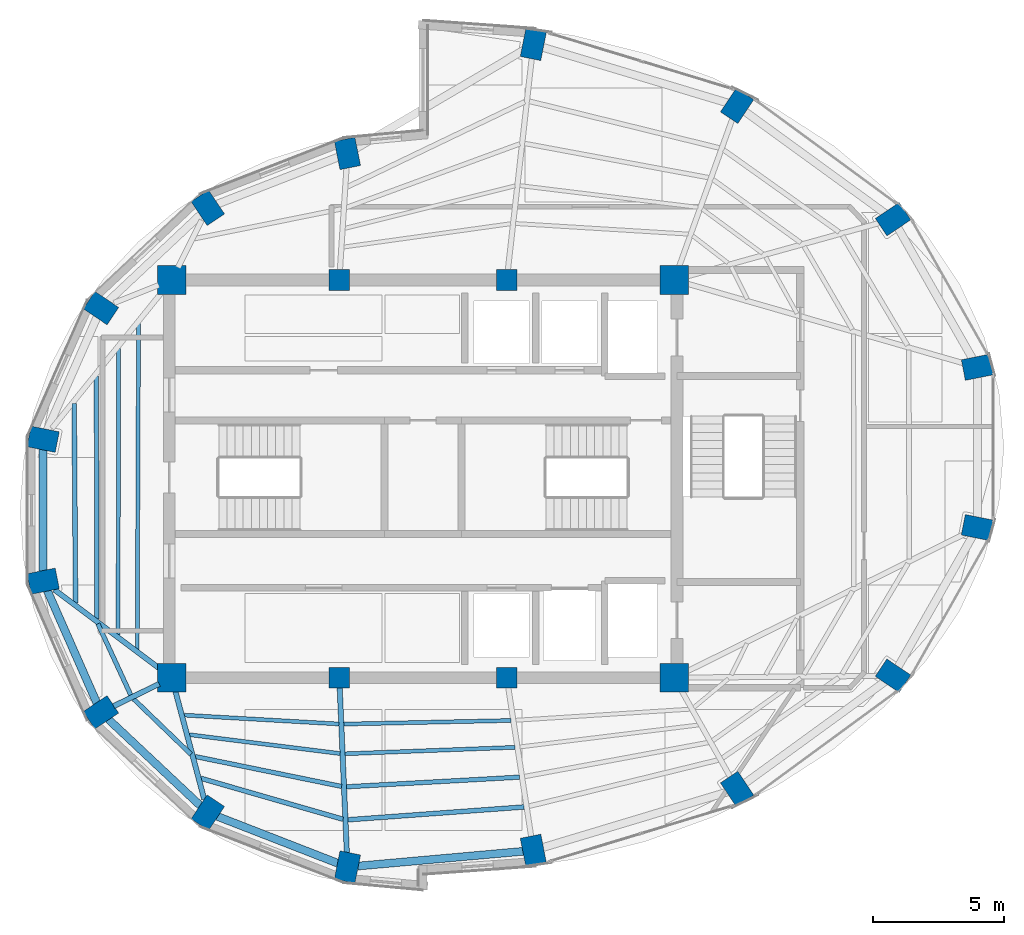
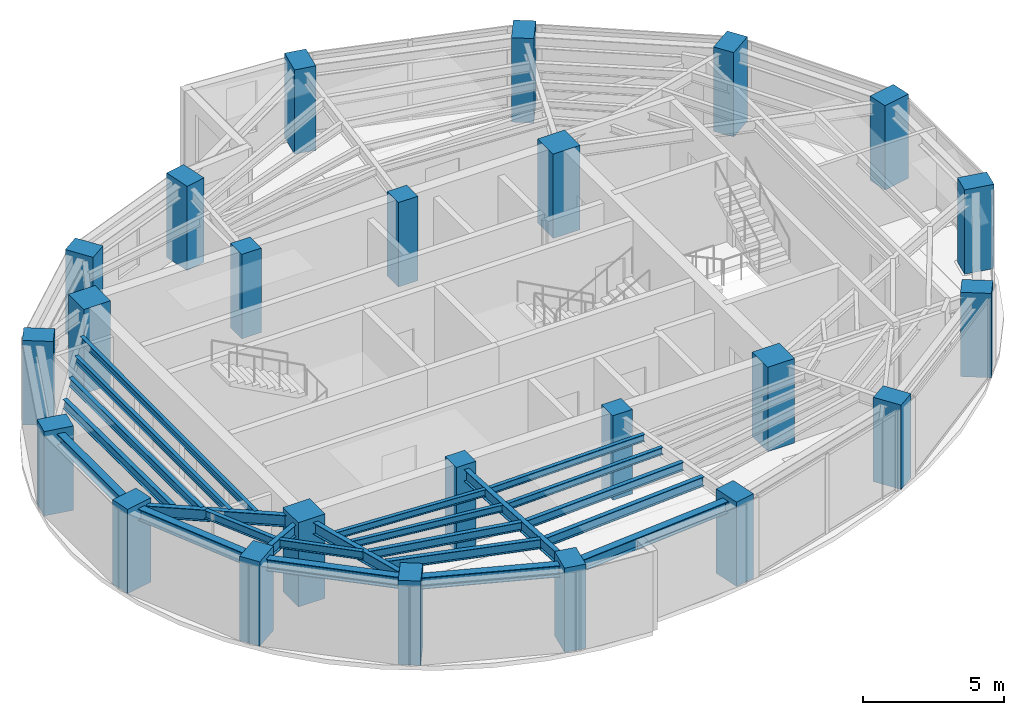
# One storey, part 1 of 12: 24 columns, 23 beams.
"""IFC4 building model written with IfcOpenShell, lengths in metres."""

from ifc_helpers import new_model, si_unit, direction, frame, origin, origin_2d, place, context, subcontext, project, spatial, rectangle, i_section, extrude, material, material_profile, profile_set, type_object, element, save


model = new_model("IFC4")

# Units and contexts
model_context = context("Model", 3, precision=1e-05, world=origin(), true_north=direction((0.0, 1.0)))
body_context = subcontext(model_context, "Body", "Model", "MODEL_VIEW")
ifc_project = project(units=[si_unit("LENGTHUNIT", "METRE"), si_unit("AREAUNIT", "SQUARE_METRE"), si_unit("VOLUMEUNIT", "CUBIC_METRE"), si_unit("PLANEANGLEUNIT", "RADIAN"), si_unit("MASSUNIT", "GRAM", prefix="KILO")], contexts=[model_context])

# Site, building, storey
site_placement = place(None, origin())
site = spatial("IfcSite", under=ifc_project, at=site_placement, CompositionType="ELEMENT")
building_placement = place(site_placement, origin())
building = spatial("IfcBuilding", under=site, at=building_placement, Name="Lazwardi Medical Tower", CompositionType="ELEMENT")
storey_placement = place(building_placement, frame((0.0, 0.0, 291.50390625)))
storey = spatial("IfcBuildingStorey", under=building, at=storey_placement, Name="L76", CompositionType="ELEMENT", Elevation=291.50390625)

# Columns
ifc_material_1 = material(Name="Concrete C80/95", Category="concrete")
ifc_material_profile_1 = material_profile(ifc_material_1, rectangle(XDim=1.10009765625, YDim=1.10009765625, at=origin_2d()), Name="RC 1100x1100")
ifc_profile_set_1 = profile_set([ifc_material_profile_1], Name="Concrete C80/95")
column_type_1 = type_object("IfcColumnType", Name="COL-CC-L", PredefinedType="COLUMN", material=ifc_profile_set_1)
for number, where, z_axis, x_axis, name in (
    (1, (26.39990234375, 20.39990234375, 0.0), (0.0, 0.0, 1.0), (1.0, 0.0, 0.0), "Core column CC-01 CC1 L76"),
    (2, (45.60009765625, 20.39990234375, 0.0), (0.0, 0.0, 1.0), (1.0, 0.0, 0.0), "Core column CC-01 CC4 L76"),
    (3, (45.60009765625, 35.60009765625, 0.0), (0.0, 0.0, 1.0), (1.0, 0.0, 0.0), "Core column CC-01 CC5 L76"),
    (4, (26.39990234375, 35.60009765625, 0.0), (0.0, 0.0, 1.0), (1.0, 0.0, 0.0), "Core column CC-01 CC8 L76"),
):
    element("IfcColumn", number, at=place(storey_placement, frame(where, z_axis=z_axis, x_axis=x_axis)), inside=storey, type_object=column_type_1, Name=name, PredefinedType="COLUMN", context=body_context, shape_type="SweptSolid", body=[
        extrude(rectangle(XDim=1.10009765625, YDim=1.10009765625, at=origin_2d()), origin(), (0.0, 0.0, 1.0), 3.648193359375),
    ])
ifc_material_2 = material(Name="Concrete C60/75", Category="concrete")
ifc_material_profile_2 = material_profile(ifc_material_2, rectangle(XDim=0.800048828125, YDim=0.800048828125, at=origin_2d()), Name="RC 800x800")
ifc_profile_set_2 = profile_set([ifc_material_profile_2], Name="Concrete C60/75")
column_type_2 = type_object("IfcColumnType", Name="COL-CC-U", PredefinedType="COLUMN", material=ifc_profile_set_2)
for number, where, z_axis, x_axis, name in (
    (5, (32.800048828125, 20.39990234375, 0.0), (0.0, 0.0, 1.0), (1.0, 0.0, 0.0), "Core column CC-03 CC2 L76"),
    (6, (39.199951171875, 20.39990234375, 0.0), (0.0, 0.0, 1.0), (1.0, 0.0, 0.0), "Core column CC-03 CC3 L76"),
    (7, (39.199951171875, 35.60009765625, 0.0), (0.0, 0.0, 1.0), (1.0, 0.0, 0.0), "Core column CC-03 CC6 L76"),
    (8, (32.800048828125, 35.60009765625, 0.0), (0.0, 0.0, 1.0), (1.0, 0.0, 0.0), "Core column CC-03 CC7 L76"),
):
    element("IfcColumn", number, at=place(storey_placement, frame(where, z_axis=z_axis, x_axis=x_axis)), inside=storey, type_object=column_type_2, Name=name, PredefinedType="COLUMN", context=body_context, shape_type="SweptSolid", body=[
        extrude(rectangle(XDim=0.800048828125, YDim=0.800048828125, at=origin_2d()), origin(), (0.0, 0.0, 1.0), 3.648193359375),
    ])
ifc_material_profile_3 = material_profile(ifc_material_2, rectangle(XDim=1.10009765625, YDim=0.800048828125, at=origin_2d()), Name="CFT-RECT 1100x800")
ifc_profile_set_3 = profile_set([ifc_material_profile_3], Name="Concrete C60/75")
column_type_3 = type_object("IfcColumnType", Name="COL-MC-Z4", PredefinedType="COLUMN", material=ifc_profile_set_3)
for number, where, z_axis, x_axis, name in (
    (9, (40.214111328125, 13.8017578125, 0.0), (0.0, 0.0, 1.0), (0.195090322016, -0.980785280403, 0.0), "Mega column MC-06 M01 L76"),
    (10, (48.000244140625, 16.14599609375, 0.0), (0.0, 0.0, 1.0), (0.55557023302, -0.831469612303, 0.0), "Mega column MC-06 M02 L76"),
    (11, (53.959716796875, 20.4775390625, 0.0), (0.0, 0.0, 1.0), (0.831469612303, -0.55557023302, 0.0), "Mega column MC-06 M03 L76"),
    (12, (57.18505859375, 26.13720703125, 0.0), (0.0, 0.0, 1.0), (0.980785280403, -0.195090322016, 0.0), "Mega column MC-06 M04 L76"),
    (13, (57.18505859375, 32.262939453125, 0.0), (0.0, 0.0, 1.0), (0.980785280403, 0.195090322016, 0.0), "Mega column MC-06 M05 L76"),
    (14, (53.959716796875, 37.922607421875, 0.0), (0.0, 0.0, 1.0), (0.831469612303, 0.55557023302, 0.0), "Mega column MC-06 M06 L76"),
    (15, (48.000244140625, 42.254150390625, 0.0), (0.0, 0.0, 1.0), (0.55557023302, 0.831469612303, 0.0), "Mega column MC-06 M07 L76"),
    (16, (40.214111328125, 44.598388671875, 0.0), (0.0, 0.0, 1.0), (0.195090322016, 0.980785280403, 0.0), "Mega column MC-06 M08 L76"),
    (17, (33.11279296875, 40.432861328125, 0.0), (0.0, 0.0, 1.0), (-0.195090322016, 0.980785280403, 0.0), "Mega column MC-06 M09 L76"),
    (18, (27.777587890625, 38.357421875, 0.0), (0.0, 0.0, 1.0), (-0.55557023302, 0.831469612303, 0.0), "Mega column MC-06 M10 L76"),
    (19, (23.694091796875, 34.5224609375, 0.0), (0.0, 0.0, 1.0), (-0.831469612303, 0.55557023302, 0.0), "Mega column MC-06 M11 L76"),
    (20, (21.484375, 29.51171875, 0.0), (0.0, 0.0, 1.0), (-0.980785280403, 0.195090322016, 0.0), "Mega column MC-06 M12 L76"),
    (21, (21.484375, 24.088134765625, 0.0), (0.0, 0.0, 1.0), (-0.980785280403, -0.195090322016, 0.0), "Mega column MC-06 M13 L76"),
    (22, (23.694091796875, 19.07763671875, 0.0), (0.0, 0.0, 1.0), (-0.831469612303, -0.55557023302, 0.0), "Mega column MC-06 M14 L76"),
    (23, (27.777587890625, 15.24267578125, 0.0), (0.0, 0.0, 1.0), (-0.55557023302, -0.831469612303, 0.0), "Mega column MC-06 M15 L76"),
    (24, (33.11279296875, 13.1669921875, 0.0), (0.0, 0.0, 1.0), (-0.195090322016, -0.980785280403, 0.0), "Mega column MC-06 M16 L76"),
):
    element("IfcColumn", number, at=place(storey_placement, frame(where, z_axis=z_axis, x_axis=x_axis)), inside=storey, type_object=column_type_3, Name=name, PredefinedType="COLUMN", context=body_context, shape_type="SweptSolid", body=[
        extrude(rectangle(XDim=1.10009765625, YDim=0.800048828125, at=origin_2d()), origin(), (0.0, 0.0, 1.0), 3.648193359375),
    ])

# Beams
ifc_material_3 = material(Name="Steel S355", Category="steel")
ifc_material_profile_4 = material_profile(ifc_material_3, i_section(OverallWidth=0.300048828125, OverallDepth=0.5, WebThickness=0.014404296875, FlangeThickness=0.028076171875, at=origin_2d()), Name="HEB 500")
ifc_profile_set_4 = profile_set([ifc_material_profile_4], Name="Steel S355")
beam_type_1 = type_object("IfcBeamType", Name="BM-RB-Z4", PredefinedType="BEAM", material=ifc_profile_set_4)
beam_1_placement = place(storey_placement, frame((21.484375, 29.121826171875, 3.197998046875), z_axis=(0.0, -1.0, 0.0), x_axis=(1.0, 0.0, 0.0)))
element("IfcBeam", 25, at=beam_1_placement, inside=storey, type_object=beam_type_1, Name="Ring beam RB-05 B12 L76", PredefinedType="BEAM", context=body_context, shape_type="SweptSolid", body=[
    extrude(i_section(OverallWidth=0.300048828125, OverallDepth=0.5, WebThickness=0.014404296875, FlangeThickness=0.028076171875, at=origin_2d()), origin(), (0.0, 0.0, 1.0), 4.6435546875),
])
beam_2_placement = place(storey_placement, frame((21.641845703125, 23.7314453125, 3.197998046875), z_axis=(0.403503258239, -0.914978207713, 0.0), x_axis=(0.914978207713, 0.403503258239, 0.0)))
element("IfcBeam", 26, at=beam_2_placement, inside=storey, type_object=beam_type_1, Name="Ring beam RB-05 B13 L76", PredefinedType="BEAM", context=body_context, shape_type="SweptSolid", body=[
    extrude(i_section(OverallWidth=0.300048828125, OverallDepth=0.5, WebThickness=0.014404296875, FlangeThickness=0.028076171875, at=origin_2d()), origin(), (0.0, 0.0, 1.0), 4.696533203125),
])
beam_3_placement = place(storey_placement, frame((23.978515625, 18.810546875, 3.197998046875), z_axis=(0.728935349177, -0.684582541934, 0.0), x_axis=(0.684582541934, 0.728935349177, 0.0)))
element("IfcBeam", 27, at=beam_3_placement, inside=storey, type_object=beam_type_1, Name="Ring beam RB-05 B14 L76", PredefinedType="BEAM", context=body_context, shape_type="SweptSolid", body=[
    extrude(i_section(OverallWidth=0.300048828125, OverallDepth=0.5, WebThickness=0.014404296875, FlangeThickness=0.028076171875, at=origin_2d()), origin(), (0.0, 0.0, 1.0), 4.822021484375),
])
beam_4_placement = place(storey_placement, frame((28.14111328125, 15.101318359375, 3.197998046875), z_axis=(0.931959260109, -0.362563011761, 0.0), x_axis=(0.362563011761, 0.931959260109, 0.0)))
element("IfcBeam", 28, at=beam_4_placement, inside=storey, type_object=beam_type_1, Name="Ring beam RB-05 B15 L76", PredefinedType="BEAM", context=body_context, shape_type="SweptSolid", body=[
    extrude(i_section(OverallWidth=0.300048828125, OverallDepth=0.5, WebThickness=0.014404296875, FlangeThickness=0.028076171875, at=origin_2d()), origin(), (0.0, 0.0, 1.0), 4.944580078125),
])
beam_5_placement = place(storey_placement, frame((33.501220703125, 13.201904296875, 3.197998046875), z_axis=(0.996030403479, 0.089013680669, 0.0), x_axis=(-0.089013680669, 0.996030403479, 0.0)))
element("IfcBeam", 29, at=beam_5_placement, inside=storey, type_object=beam_type_1, Name="Ring beam RB-05 B16 L76", PredefinedType="BEAM", context=body_context, shape_type="SweptSolid", body=[
    extrude(i_section(OverallWidth=0.300048828125, OverallDepth=0.5, WebThickness=0.014404296875, FlangeThickness=0.028076171875, at=origin_2d()), origin(), (0.0, 0.0, 1.0), 6.349365234375),
])
ifc_material_profile_5 = material_profile(ifc_material_3, i_section(OverallWidth=0.199951171875, OverallDepth=0.5, WebThickness=0.01025390625, FlangeThickness=0.01611328125, at=origin_2d()), Name="IPE 500")
ifc_profile_set_5 = profile_set([ifc_material_profile_5], Name="Steel S355")
beam_type_2 = type_object("IfcBeamType", Name="BM-RG-W3", PredefinedType="BEAM", material=ifc_profile_set_5)
beam_6_placement = place(storey_placement, frame((21.912353515625, 23.76708984375, 3.197998046875), z_axis=(0.79990185954, -0.600130831657, 0.0), x_axis=(0.600130831657, 0.79990185954, 0.0)))
element("IfcBeam", 30, at=beam_6_placement, inside=storey, type_object=beam_type_2, Name="Radial girder RG-04 R13 L76", PredefinedType="BEAM", context=body_context, shape_type="SweptSolid", body=[
    extrude(i_section(OverallWidth=0.199951171875, OverallDepth=0.5, WebThickness=0.01025390625, FlangeThickness=0.01611328125, at=origin_2d()), origin(), (0.0, 0.0, 1.0), 5.075439453125),
])
beam_7_placement = place(storey_placement, frame((24.1748046875, 19.3125, 3.197998046875), z_axis=(0.898439482653, 0.43909736507, 0.0), x_axis=(-0.43909736507, 0.898439482653, 0.0)))
element("IfcBeam", 31, at=beam_7_placement, inside=storey, type_object=beam_type_2, Name="Radial girder RG-04 R14 L76", PredefinedType="BEAM", context=body_context, shape_type="SweptSolid", body=[
    extrude(i_section(OverallWidth=0.199951171875, OverallDepth=0.5, WebThickness=0.01025390625, FlangeThickness=0.01611328125, at=origin_2d()), origin(), (0.0, 0.0, 1.0), 1.941650390625),
])
beam_8_placement = place(storey_placement, frame((27.639404296875, 15.759521484375, 3.197998046875), z_axis=(-0.25803645922, 0.966135179834, 0.0), x_axis=(-0.966135179834, -0.25803645922, 0.0)))
element("IfcBeam", 32, at=beam_8_placement, inside=storey, type_object=beam_type_2, Name="Radial girder RG-04 R15 L76", PredefinedType="BEAM", context=body_context, shape_type="SweptSolid", body=[
    extrude(i_section(OverallWidth=0.199951171875, OverallDepth=0.5, WebThickness=0.01025390625, FlangeThickness=0.01611328125, at=origin_2d()), origin(), (0.0, 0.0, 1.0), 4.26806640625),
])
beam_9_placement = place(storey_placement, frame((33.089599609375, 13.70166015625, 3.197998046875), z_axis=(-0.043190778794, 0.999066842923, 0.0), x_axis=(-0.999066842923, -0.043190778794, 0.0)))
element("IfcBeam", 33, at=beam_9_placement, inside=storey, type_object=beam_type_2, Name="Radial girder RG-04 R16 L76", PredefinedType="BEAM", context=body_context, shape_type="SweptSolid", body=[
    extrude(i_section(OverallWidth=0.199951171875, OverallDepth=0.5, WebThickness=0.01025390625, FlangeThickness=0.01611328125, at=origin_2d()), origin(), (0.0, 0.0, 1.0), 6.319580078125),
])
ifc_material_profile_6 = material_profile(ifc_material_3, i_section(OverallWidth=0.179931640625, OverallDepth=0.39990234375, WebThickness=0.008544921875, FlangeThickness=0.013427734375, at=origin_2d()), Name="IPE 400")
ifc_profile_set_6 = profile_set([ifc_material_profile_6], Name="Steel S355")
beam_type_3 = type_object("IfcBeamType", Name="BM-SJ-01", PredefinedType="JOIST", material=ifc_profile_set_6)
beam_10_placement = place(storey_placement, frame((22.669921875, 30.88427734375, 3.248046875), z_axis=(0.007038023905, -0.999975232803, 0.0), x_axis=(0.999975232803, 0.007038023905, 0.0)))
element("IfcBeam", 34, at=beam_10_placement, inside=storey, type_object=beam_type_3, Name="Secondary joist SJ-01 R1 B12 L76", PredefinedType="JOIST", context=body_context, shape_type="SweptSolid", body=[
    extrude(i_section(OverallWidth=0.179931640625, OverallDepth=0.39990234375, WebThickness=0.008544921875, FlangeThickness=0.013427734375, at=origin_2d()), origin(), (0.0, 0.0, 1.0), 7.631591796875),
])
beam_11_placement = place(storey_placement, frame((27.510498046875, 16.557861328125, 3.248046875), z_axis=(0.960828455467, -0.277143787887, 0.0), x_axis=(0.277143787887, 0.960828455467, 0.0)))
element("IfcBeam", 35, at=beam_11_placement, inside=storey, type_object=beam_type_3, Name="Secondary joist SJ-01 R1 B15 L76", PredefinedType="JOIST", context=body_context, shape_type="SweptSolid", body=[
    extrude(i_section(OverallWidth=0.179931640625, OverallDepth=0.39990234375, WebThickness=0.008544921875, FlangeThickness=0.013427734375, at=origin_2d()), origin(), (0.0, 0.0, 1.0), 5.654541015625),
])
beam_12_placement = place(storey_placement, frame((33.129638671875, 14.97119140625, 3.248046875), z_axis=(0.997360105889, 0.072614180298, 0.0), x_axis=(-0.072614180298, 0.997360105889, 0.0)))
element("IfcBeam", 36, at=beam_12_placement, inside=storey, type_object=beam_type_3, Name="Secondary joist SJ-01 R1 B16 L76", PredefinedType="JOIST", context=body_context, shape_type="SweptSolid", body=[
    extrude(i_section(OverallWidth=0.179931640625, OverallDepth=0.39990234375, WebThickness=0.008544921875, FlangeThickness=0.013427734375, at=origin_2d()), origin(), (0.0, 0.0, 1.0), 6.751220703125),
])
ifc_material_profile_7 = material_profile(ifc_material_3, i_section(OverallWidth=0.169921875, OverallDepth=0.360107421875, WebThickness=0.008056640625, FlangeThickness=0.0126953125, at=origin_2d()), Name="IPE 360")
ifc_profile_set_7 = profile_set([ifc_material_profile_7], Name="Steel S355")
beam_type_4 = type_object("IfcBeamType", Name="BM-SJ-02", PredefinedType="JOIST", material=ifc_profile_set_7)
beam_13_placement = place(storey_placement, frame((23.51806640625, 31.935302734375, 3.26806640625), z_axis=(0.001918121439, -0.999998160403, 0.0), x_axis=(0.999998160403, 0.001918121439, 0.0)))
element("IfcBeam", 37, at=beam_13_placement, inside=storey, type_object=beam_type_4, Name="Secondary joist SJ-02 R2 B12 L76", PredefinedType="JOIST", context=body_context, shape_type="SweptSolid", body=[
    extrude(i_section(OverallWidth=0.169921875, OverallDepth=0.360107421875, WebThickness=0.008056640625, FlangeThickness=0.0126953125, at=origin_2d()), origin(), (0.0, 0.0, 1.0), 9.29150390625),
])
beam_14_placement = place(storey_placement, frame((23.575927734375, 22.46240234375, 3.26806640625), z_axis=(0.419120130681, -0.907930788143, 0.0), x_axis=(0.907930788143, 0.419120130681, 0.0)))
element("IfcBeam", 38, at=beam_14_placement, inside=storey, type_object=beam_type_4, Name="Secondary joist SJ-02 R2 B13 L76", PredefinedType="JOIST", context=body_context, shape_type="SweptSolid", body=[
    extrude(i_section(OverallWidth=0.169921875, OverallDepth=0.360107421875, WebThickness=0.008056640625, FlangeThickness=0.0126953125, at=origin_2d()), origin(), (0.0, 0.0, 1.0), 2.998779296875),
])
beam_15_placement = place(storey_placement, frame((24.94091796875, 19.587646484375, 3.26806640625), z_axis=(0.719630919159, -0.694356781626, 0.0), x_axis=(0.694356781626, 0.719630919159, 0.0)))
element("IfcBeam", 39, at=beam_15_placement, inside=storey, type_object=beam_type_4, Name="Secondary joist SJ-02 R2 B14 L76", PredefinedType="JOIST", context=body_context, shape_type="SweptSolid", body=[
    extrude(i_section(OverallWidth=0.169921875, OverallDepth=0.360107421875, WebThickness=0.008056640625, FlangeThickness=0.0126953125, at=origin_2d()), origin(), (0.0, 0.0, 1.0), 3.042724609375),
])
beam_16_placement = place(storey_placement, frame((27.2919921875, 17.389892578125, 3.26806640625), z_axis=(0.979738197465, -0.200282461608, 0.0), x_axis=(0.200282461608, 0.979738197465, 0.0)))
element("IfcBeam", 40, at=beam_16_placement, inside=storey, type_object=beam_type_4, Name="Secondary joist SJ-02 R2 B15 L76", PredefinedType="JOIST", context=body_context, shape_type="SweptSolid", body=[
    extrude(i_section(OverallWidth=0.169921875, OverallDepth=0.360107421875, WebThickness=0.008056640625, FlangeThickness=0.0126953125, at=origin_2d()), origin(), (0.0, 0.0, 1.0), 5.7109375),
])
beam_17_placement = place(storey_placement, frame((33.0751953125, 16.232421875, 3.26806640625), z_axis=(0.998451835098, 0.055623133576, 0.0), x_axis=(-0.055623133576, 0.998451835098, 0.0)))
element("IfcBeam", 41, at=beam_17_placement, inside=storey, type_object=beam_type_4, Name="Secondary joist SJ-02 R2 B16 L76", PredefinedType="JOIST", context=body_context, shape_type="SweptSolid", body=[
    extrude(i_section(OverallWidth=0.169921875, OverallDepth=0.360107421875, WebThickness=0.008056640625, FlangeThickness=0.0126953125, at=origin_2d()), origin(), (0.0, 0.0, 1.0), 6.623291015625),
])
ifc_material_profile_8 = material_profile(ifc_material_3, i_section(OverallWidth=0.14990234375, OverallDepth=0.300048828125, WebThickness=0.007080078125, FlangeThickness=0.0107421875, at=origin_2d()), Name="IPE 300")
ifc_profile_set_8 = profile_set([ifc_material_profile_8], Name="Steel S355")
beam_type_5 = type_object("IfcBeamType", Name="BM-SJ-03", PredefinedType="JOIST", material=ifc_profile_set_8)
beam_18_placement = place(storey_placement, frame((24.366455078125, 32.986572265625, 3.298095703125), z_axis=(-0.001649574216, -0.999998639452, 0.0), x_axis=(0.999998639452, -0.001649574216, 0.0)))
element("IfcBeam", 42, at=beam_18_placement, inside=storey, type_object=beam_type_5, Name="Secondary joist SJ-03 R3 B12 L76", PredefinedType="JOIST", context=body_context, shape_type="SweptSolid", body=[
    extrude(i_section(OverallWidth=0.14990234375, OverallDepth=0.300048828125, WebThickness=0.007080078125, FlangeThickness=0.0107421875, at=origin_2d()), origin(), (0.0, 0.0, 1.0), 10.9521484375),
])
beam_19_placement = place(storey_placement, frame((27.072998046875, 18.221923828125, 3.298095703125), z_axis=(0.992269460733, -0.124102043887, 0.0), x_axis=(0.124102043887, 0.992269460733, 0.0)))
element("IfcBeam", 43, at=beam_19_placement, inside=storey, type_object=beam_type_5, Name="Secondary joist SJ-03 R3 B15 L76", PredefinedType="JOIST", context=body_context, shape_type="SweptSolid", body=[
    extrude(i_section(OverallWidth=0.14990234375, OverallDepth=0.300048828125, WebThickness=0.007080078125, FlangeThickness=0.0107421875, at=origin_2d()), origin(), (0.0, 0.0, 1.0), 5.803466796875),
])
beam_20_placement = place(storey_placement, frame((33.020751953125, 17.493408203125, 3.298095703125), z_axis=(0.999278116384, 0.037990079181, 0.0), x_axis=(-0.037990079181, 0.999278116384, 0.0)))
element("IfcBeam", 44, at=beam_20_placement, inside=storey, type_object=beam_type_5, Name="Secondary joist SJ-03 R3 B16 L76", PredefinedType="JOIST", context=body_context, shape_type="SweptSolid", body=[
    extrude(i_section(OverallWidth=0.14990234375, OverallDepth=0.300048828125, WebThickness=0.007080078125, FlangeThickness=0.0107421875, at=origin_2d()), origin(), (0.0, 0.0, 1.0), 6.4970703125),
])
beam_21_placement = place(storey_placement, frame((25.1298828125, 33.9326171875, 3.298095703125), z_axis=(-0.004060302734, -0.999991756937, 0.0), x_axis=(0.999991756937, -0.004060302734, 0.0)))
element("IfcBeam", 45, at=beam_21_placement, inside=storey, type_object=beam_type_5, Name="Secondary joist SJ-03 R4 B12 L76", PredefinedType="JOIST", context=body_context, shape_type="SweptSolid", body=[
    extrude(i_section(OverallWidth=0.14990234375, OverallDepth=0.300048828125, WebThickness=0.007080078125, FlangeThickness=0.0107421875, at=origin_2d()), origin(), (0.0, 0.0, 1.0), 12.446533203125),
])
beam_22_placement = place(storey_placement, frame((26.875244140625, 18.970458984375, 3.298095703125), z_axis=(0.998360639354, -0.057236647244, 0.0), x_axis=(0.057236647244, 0.998360639354, 0.0)))
element("IfcBeam", 46, at=beam_22_placement, inside=storey, type_object=beam_type_5, Name="Secondary joist SJ-03 R4 B15 L76", PredefinedType="JOIST", context=body_context, shape_type="SweptSolid", body=[
    extrude(i_section(OverallWidth=0.14990234375, OverallDepth=0.300048828125, WebThickness=0.007080078125, FlangeThickness=0.0107421875, at=origin_2d()), origin(), (0.0, 0.0, 1.0), 5.916259765625),
])
beam_23_placement = place(storey_placement, frame((32.9716796875, 18.62841796875, 3.298095703125), z_axis=(0.999768300197, 0.021525471452, 0.0), x_axis=(-0.021525471452, 0.999768300197, 0.0)))
element("IfcBeam", 47, at=beam_23_placement, inside=storey, type_object=beam_type_5, Name="Secondary joist SJ-03 R4 B16 L76", PredefinedType="JOIST", context=body_context, shape_type="SweptSolid", body=[
    extrude(i_section(OverallWidth=0.14990234375, OverallDepth=0.300048828125, WebThickness=0.007080078125, FlangeThickness=0.0107421875, at=origin_2d()), origin(), (0.0, 0.0, 1.0), 6.385498046875),
])

save(model, "model.ifc")
